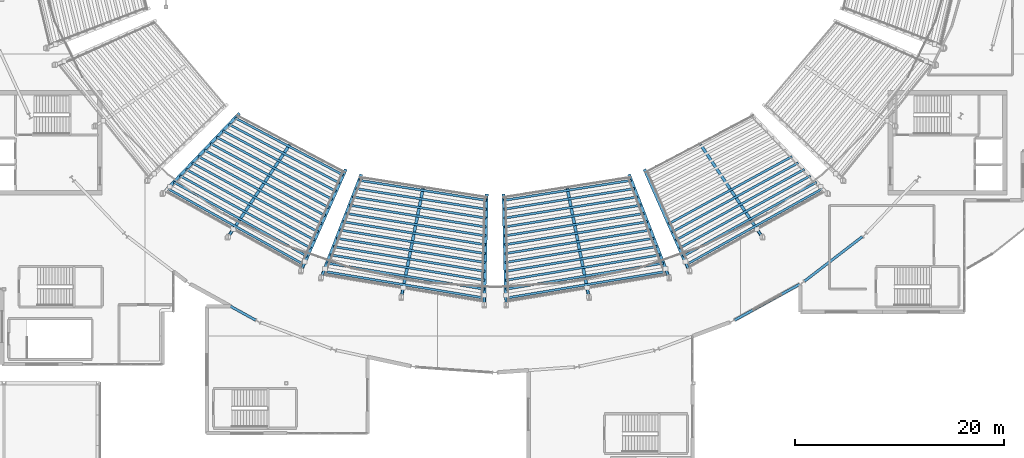
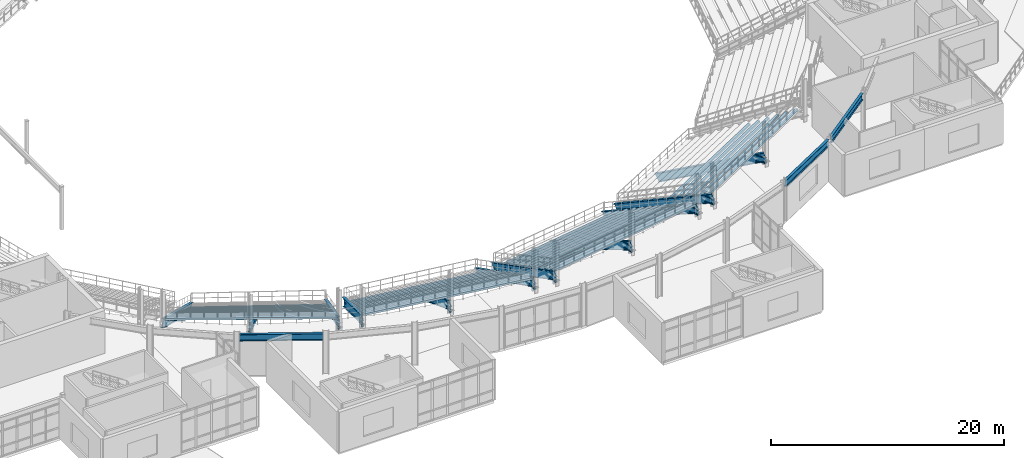
# One storey, part 25 of 81: 66 beams.
"""IFC4 building model written with IfcOpenShell, lengths in metres."""

from ifc_helpers import new_model, si_unit, direction, frame, origin, origin_2d, place, context, subcontext, project, spatial, rectangle, i_section, extrude, material, material_profile, profile_set, type_object, element, save


model = new_model("IFC4")

# Units and contexts
model_context = context("Model", 3, precision=1e-05, world=origin(), true_north=direction((0.0, 1.0)))
body_context = subcontext(model_context, "Body", "Model", "MODEL_VIEW")
ifc_project = project(units=[si_unit("LENGTHUNIT", "METRE"), si_unit("AREAUNIT", "SQUARE_METRE"), si_unit("VOLUMEUNIT", "CUBIC_METRE"), si_unit("PLANEANGLEUNIT", "RADIAN"), si_unit("MASSUNIT", "GRAM", prefix="KILO")], contexts=[model_context])

# Site, building, storey
site_placement = place(None, origin())
site = spatial("IfcSite", under=ifc_project, at=site_placement, CompositionType="ELEMENT")
building_placement = place(site_placement, origin())
building = spatial("IfcBuilding", under=site, at=building_placement, Name="Glasvene Arena", CompositionType="ELEMENT")
storey_placement = place(building_placement, frame((0.0, 0.0, 15.0)))
storey = spatial("IfcBuildingStorey", under=building, at=storey_placement, Name="L03", CompositionType="ELEMENT", Elevation=15.0)

# Beams
ifc_material_1 = material(Name="Steel S355J2", Category="steel")
ifc_material_profile_1 = material_profile(ifc_material_1, i_section(OverallWidth=0.228271484375, OverallDepth=0.607666015625, WebThickness=0.010986328125, FlangeThickness=0.017333984375, FilletRadius=0.0126953125, at=origin_2d()), Name="UKB 610x229x113")
ifc_profile_set_1 = profile_set([ifc_material_profile_1], Name="Steel S355J2")
beam_type_1 = type_object("IfcBeamType", Name="BM-GIRD-610", PredefinedType="BEAM", material=ifc_profile_set_1)
for number, where, z_axis, x_axis, name in (
    (1, (66.94384765625, 41.73681640625, 0.544921875), (-0.555528436112, -0.831497538584, 0.0), (0.831497538584, -0.555528436112, 0.0), "Upper raker rear seat haunch girder RKS-11-2"),
    (2, (73.800048828125, 38.59765625, 0.60498046875), (-0.403516463423, -0.914972384144, 0.0), (0.914972384144, -0.403516463423, 0.0), "Upper raker rear seat haunch girder RKS-11-3"),
    (3, (75.69091796875, 37.944580078125, 0.60498046875), (-0.361672228488, -0.932305314337, 0.0), (0.932305314337, -0.361672228488, 0.0), "Upper raker rear seat haunch girder RKS-12-1"),
    (4, (83.201416015625, 36.12255859375, 0.544921875), (-0.195057426987, -0.980791823058, 0.0), (0.980791823058, -0.195057426987, 0.0), "Upper raker rear seat haunch girder RKS-12-2"),
    (5, (90.976806640625, 35.40966796875, 0.60498046875), (-0.02273771586, -0.999741464718, 0.0), (0.999741464718, -0.02273771586, 0.0), "Upper raker rear seat haunch girder RKS-12-3"),
    (6, (93.023193359375, 35.40966796875, 0.60498046875), (0.02273771586, -0.999741464718, 0.0), (0.999741464718, 0.02273771586, 0.0), "Upper raker rear seat haunch girder RKS-13-1"),
    (7, (100.798583984375, 36.12255859375, 0.544921875), (0.195057426987, -0.980791823058, 0.0), (0.980791823058, 0.195057426987, 0.0), "Upper raker rear seat haunch girder RKS-13-2"),
    (8, (108.30908203125, 37.944580078125, 0.60498046875), (0.361672228488, -0.932305314337, 0.0), (0.932305314337, 0.361672228488, 0.0), "Upper raker rear seat haunch girder RKS-13-3"),
    (9, (110.199951171875, 38.59765625, 0.60498046875), (0.403516463423, -0.914972384144, 0.0), (0.914972384144, 0.403516463423, 0.0), "Upper raker rear seat haunch girder RKS-14-1"),
    (10, (117.05615234375, 41.73681640625, 0.544921875), (0.555528436112, -0.831497538584, 0.0), (0.831497538584, 0.555528436112, 0.0), "Upper raker rear seat haunch girder RKS-14-2"),
):
    element("IfcBeam", number, at=place(storey_placement, frame(where, z_axis=z_axis, x_axis=x_axis)), inside=storey, type_object=beam_type_1, Name=name, PredefinedType="BEAM", context=body_context, shape_type="SweptSolid", body=[
        extrude(i_section(OverallWidth=0.228271484375, OverallDepth=0.607666015625, WebThickness=0.010986328125, FlangeThickness=0.017333984375, FilletRadius=0.0126953125, at=origin_2d()), origin(), (0.0, 0.0, 1.0), 1.02001953125),
    ])
ifc_material_profile_2 = material_profile(ifc_material_1, i_section(OverallWidth=0.253662109375, OverallDepth=0.68359375, WebThickness=0.012451171875, FlangeThickness=0.01904296875, FilletRadius=0.01513671875, at=origin_2d()), Name="UKB 686x254x140")
ifc_profile_set_2 = profile_set([ifc_material_profile_2], Name="Steel S355J2")
beam_type_2 = type_object("IfcBeamType", Name="BM-GIRD-686", PredefinedType="BEAM", material=ifc_profile_set_2)
for number, where, z_axis, x_axis, name in (
    (11, (62.82080078125, 36.478271484375, 3.908203125), (0.875653765723, -0.482939419156, 0.0), (0.482939419156, 0.875653765723, 0.0), "Bowl ring chord beam L03-27"),
    (12, (114.90966796875, 33.0205078125, 3.908203125), (0.875653765723, 0.482939419156, 0.0), (-0.482939419156, 0.875653765723, 0.0), "Bowl ring chord beam L03-34"),
):
    element("IfcBeam", number, at=place(storey_placement, frame(where, z_axis=z_axis, x_axis=x_axis)), inside=storey, type_object=beam_type_2, Name=name, PredefinedType="BEAM", context=body_context, shape_type="SweptSolid", body=[
        extrude(i_section(OverallWidth=0.253662109375, OverallDepth=0.68359375, WebThickness=0.012451171875, FlangeThickness=0.01904296875, FilletRadius=0.01513671875, at=origin_2d()), origin(), (0.0, 0.0, 1.0), 7.159912109375),
    ])
beam_1_placement = place(storey_placement, frame((121.57958984375, 36.740478515625, 3.908203125), z_axis=(0.792832644474, 0.609439412786, 0.0), x_axis=(-0.609439412786, 0.792832644474, 0.0)))
element("IfcBeam", 13, at=beam_1_placement, inside=storey, type_object=beam_type_2, Name="Bowl ring chord beam L03-35", PredefinedType="BEAM", context=body_context, shape_type="SweptSolid", body=[
    extrude(i_section(OverallWidth=0.253662109375, OverallDepth=0.68359375, WebThickness=0.012451171875, FlangeThickness=0.01904296875, FilletRadius=0.01513671875, at=origin_2d()), origin(), (0.0, 0.0, 1.0), 7.044921875),
])
ifc_material_profile_3 = material_profile(ifc_material_1, i_section(OverallWidth=0.29248046875, OverallDepth=0.8408203125, WebThickness=0.0146484375, FlangeThickness=0.021728515625, FilletRadius=0.017822265625, at=origin_2d()), Name="UKB 838x292x194")
ifc_profile_set_3 = profile_set([ifc_material_profile_3], Name="Steel S355J2")
beam_type_3 = type_object("IfcBeamType", Name="Upper bowl raker", PredefinedType="USERDEFINED", material=ifc_profile_set_3)
beam_2_placement = place(storey_placement, frame((67.404541015625, 52.6845703125, -4.320068359375), z_axis=(-0.614833062929, -0.643391567755, 0.456100422354), x_axis=(0.722970105975, -0.690879313532, 0.0)))
element("IfcBeam", 14, at=beam_2_placement, inside=storey, type_object=beam_type_3, Name="Upper bowl cantilevered raker beam RKU-11-1", ObjectType="RAKER BEAM", PredefinedType="USERDEFINED", context=body_context, shape_type="SweptSolid", body=[
    extrude(i_section(OverallWidth=0.29248046875, OverallDepth=0.8408203125, WebThickness=0.0146484375, FlangeThickness=0.021728515625, FilletRadius=0.017822265625, at=origin_2d()), origin(), (0.0, 0.0, 1.0), 11.686279296875),
])
beam_3_placement = place(storey_placement, frame((72.2216796875, 49.6357421875, -4.47998046875), z_axis=(-0.492473636396, -0.737066517415, 0.462820339182), x_axis=(0.831479234628, -0.555555831923, 0.0)))
element("IfcBeam", 15, at=beam_3_placement, inside=storey, type_object=beam_type_3, Name="Upper bowl cantilevered raker beam RKU-11-2", ObjectType="RAKER BEAM", PredefinedType="USERDEFINED", context=body_context, shape_type="SweptSolid", body=[
    extrude(i_section(OverallWidth=0.29248046875, OverallDepth=0.8408203125, WebThickness=0.0146484375, FlangeThickness=0.021728515625, FilletRadius=0.017822265625, at=origin_2d()), origin(), (0.0, 0.0, 1.0), 11.732177734375),
])
beam_4_placement = place(storey_placement, frame((77.6337890625, 47.28955078125, -4.320068359375), z_axis=(-0.359125292214, -0.81424713578, 0.456103745179), x_axis=(0.914959869018, -0.403544840242, 0.0)))
element("IfcBeam", 16, at=beam_4_placement, inside=storey, type_object=beam_type_3, Name="Upper bowl cantilevered raker beam RKU-11-3", ObjectType="RAKER BEAM", PredefinedType="USERDEFINED", context=body_context, shape_type="SweptSolid", body=[
    extrude(i_section(OverallWidth=0.29248046875, OverallDepth=0.8408203125, WebThickness=0.0146484375, FlangeThickness=0.021728515625, FilletRadius=0.017822265625, at=origin_2d()), origin(), (0.0, 0.0, 1.0), 11.68603515625),
])
beam_5_placement = place(storey_placement, frame((79.126220703125, 46.8017578125, -4.320068359375), z_axis=(-0.321824936055, -0.829704586846, 0.456091009669), x_axis=(0.932322385811, -0.361628219192, 0.0)))
element("IfcBeam", 17, at=beam_5_placement, inside=storey, type_object=beam_type_3, Name="Upper bowl cantilevered raker beam RKU-12-1", ObjectType="RAKER BEAM", PredefinedType="USERDEFINED", context=body_context, shape_type="SweptSolid", body=[
    extrude(i_section(OverallWidth=0.29248046875, OverallDepth=0.8408203125, WebThickness=0.0146484375, FlangeThickness=0.021728515625, FilletRadius=0.017822265625, at=origin_2d()), origin(), (0.0, 0.0, 1.0), 11.6865234375),
])
beam_6_placement = place(storey_placement, frame((85.0546875, 45.43994140625, -4.47998046875), z_axis=(-0.172926721503, -0.869419786331, 0.46282349133), x_axis=(0.980787789908, -0.19507770546, 0.0)))
element("IfcBeam", 18, at=beam_6_placement, inside=storey, type_object=beam_type_3, Name="Upper bowl cantilevered raker beam RKU-12-2", ObjectType="RAKER BEAM", PredefinedType="USERDEFINED", context=body_context, shape_type="SweptSolid", body=[
    extrude(i_section(OverallWidth=0.29248046875, OverallDepth=0.8408203125, WebThickness=0.0146484375, FlangeThickness=0.021728515625, FilletRadius=0.017822265625, at=origin_2d()), origin(), (0.0, 0.0, 1.0), 11.732177734375),
])
for number, where, z_axis, x_axis, name in (
    (19, (91.1923828125, 44.9072265625, -4.320068359375), (-0.02020192295, -0.889699371943, 0.456099670986), (0.999742307986, -0.022700608444, 0.0), "Upper bowl cantilevered raker beam RKU-12-3"),
    (20, (92.8076171875, 44.9072265625, -4.320068359375), (0.02020192295, -0.889699371943, 0.456099670986), (0.999742307986, 0.022700608444, 0.0), "Upper bowl cantilevered raker beam RKU-13-1"),
):
    element("IfcBeam", number, at=place(storey_placement, frame(where, z_axis=z_axis, x_axis=x_axis)), inside=storey, type_object=beam_type_3, Name=name, ObjectType="RAKER BEAM", PredefinedType="USERDEFINED", context=body_context, shape_type="SweptSolid", body=[
        extrude(i_section(OverallWidth=0.29248046875, OverallDepth=0.8408203125, WebThickness=0.0146484375, FlangeThickness=0.021728515625, FilletRadius=0.017822265625, at=origin_2d()), origin(), (0.0, 0.0, 1.0), 11.686279296875),
    ])
beam_7_placement = place(storey_placement, frame((98.9453125, 45.43994140625, -4.47998046875), z_axis=(0.172926721503, -0.869419786331, 0.46282349133), x_axis=(0.980787789908, 0.19507770546, 0.0)))
element("IfcBeam", 21, at=beam_7_placement, inside=storey, type_object=beam_type_3, Name="Upper bowl cantilevered raker beam RKU-13-2", ObjectType="RAKER BEAM", PredefinedType="USERDEFINED", context=body_context, shape_type="SweptSolid", body=[
    extrude(i_section(OverallWidth=0.29248046875, OverallDepth=0.8408203125, WebThickness=0.0146484375, FlangeThickness=0.021728515625, FilletRadius=0.017822265625, at=origin_2d()), origin(), (0.0, 0.0, 1.0), 11.732177734375),
])
beam_8_placement = place(storey_placement, frame((104.873779296875, 46.8017578125, -4.320068359375), z_axis=(0.321824936055, -0.829704586846, 0.456091009669), x_axis=(0.932322385811, 0.361628219192, 0.0)))
element("IfcBeam", 22, at=beam_8_placement, inside=storey, type_object=beam_type_3, Name="Upper bowl cantilevered raker beam RKU-13-3", ObjectType="RAKER BEAM", PredefinedType="USERDEFINED", context=body_context, shape_type="SweptSolid", body=[
    extrude(i_section(OverallWidth=0.29248046875, OverallDepth=0.8408203125, WebThickness=0.0146484375, FlangeThickness=0.021728515625, FilletRadius=0.017822265625, at=origin_2d()), origin(), (0.0, 0.0, 1.0), 11.6865234375),
])
beam_9_placement = place(storey_placement, frame((106.3662109375, 47.28955078125, -4.320068359375), z_axis=(0.359125292214, -0.81424713578, 0.456103745179), x_axis=(0.914959869018, 0.403544840242, 0.0)))
element("IfcBeam", 23, at=beam_9_placement, inside=storey, type_object=beam_type_3, Name="Upper bowl cantilevered raker beam RKU-14-1", ObjectType="RAKER BEAM", PredefinedType="USERDEFINED", context=body_context, shape_type="SweptSolid", body=[
    extrude(i_section(OverallWidth=0.29248046875, OverallDepth=0.8408203125, WebThickness=0.0146484375, FlangeThickness=0.021728515625, FilletRadius=0.017822265625, at=origin_2d()), origin(), (0.0, 0.0, 1.0), 11.68603515625),
])
beam_10_placement = place(storey_placement, frame((111.7783203125, 49.6357421875, -4.47998046875), z_axis=(0.492473636396, -0.737066517415, 0.462820339182), x_axis=(0.831479234628, 0.555555831923, 0.0)))
element("IfcBeam", 24, at=beam_10_placement, inside=storey, type_object=beam_type_3, Name="Upper bowl cantilevered raker beam RKU-14-2", ObjectType="RAKER BEAM", PredefinedType="USERDEFINED", context=body_context, shape_type="SweptSolid", body=[
    extrude(i_section(OverallWidth=0.29248046875, OverallDepth=0.8408203125, WebThickness=0.0146484375, FlangeThickness=0.021728515625, FilletRadius=0.017822265625, at=origin_2d()), origin(), (0.0, 0.0, 1.0), 11.732177734375),
])
ifc_material_2 = material(Name="Precast concrete C50/60", Category="concrete")
ifc_material_profile_4 = material_profile(ifc_material_2, rectangle(XDim=0.219970703125, YDim=0.219970703125, at=origin_2d()), Name="RC 220x220")
ifc_profile_set_4 = profile_set([ifc_material_profile_4], Name="Precast concrete C50/60")
beam_type_4 = type_object("IfcBeamType", Name="BM-TIER-BEARER", PredefinedType="BEAM", material=ifc_profile_set_4)
beam_11_placement = place(storey_placement, frame((67.114501953125, 52.381103515625, -4.215087890625), z_axis=(0.883920254226, -0.467637663335, 0.0), x_axis=(0.467637663335, 0.883920254226, 0.0)))
element("IfcBeam", 25, at=beam_11_placement, inside=storey, type_object=beam_type_4, Name="Upper tier precast row bearer 11-R01", PredefinedType="BEAM", context=body_context, shape_type="SweptSolid", body=[
    extrude(rectangle(XDim=0.219970703125, YDim=0.219970703125, at=origin_2d()), origin(), (0.0, 0.0, 1.0), 11.708984375),
])
beam_12_placement = place(storey_placement, frame((66.527099609375, 51.7666015625, -3.735107421875), z_axis=(0.882745126061, -0.469852149528, 0.0), x_axis=(0.469852149528, 0.882745126061, 0.0)))
element("IfcBeam", 26, at=beam_12_placement, inside=storey, type_object=beam_type_4, Name="Upper tier precast row bearer 11-R02", PredefinedType="BEAM", context=body_context, shape_type="SweptSolid", body=[
    extrude(rectangle(XDim=0.219970703125, YDim=0.219970703125, at=origin_2d()), origin(), (0.0, 0.0, 1.0), 12.00146484375),
])
beam_13_placement = place(storey_placement, frame((65.93994140625, 51.15185546875, -3.2548828125), z_axis=(0.881624591042, -0.471951353924, 0.0), x_axis=(0.471951353924, 0.881624591042, 0.0)))
element("IfcBeam", 27, at=beam_13_placement, inside=storey, type_object=beam_type_4, Name="Upper tier precast row bearer 11-R03", PredefinedType="BEAM", context=body_context, shape_type="SweptSolid", body=[
    extrude(rectangle(XDim=0.219970703125, YDim=0.219970703125, at=origin_2d()), origin(), (0.0, 0.0, 1.0), 12.293701171875),
])
beam_14_placement = place(storey_placement, frame((65.352783203125, 50.537353515625, -2.77490234375), z_axis=(0.880551437583, -0.47395059423, 0.0), x_axis=(0.47395059423, 0.880551437583, 0.0)))
element("IfcBeam", 28, at=beam_14_placement, inside=storey, type_object=beam_type_4, Name="Upper tier precast row bearer 11-R04", PredefinedType="BEAM", context=body_context, shape_type="SweptSolid", body=[
    extrude(rectangle(XDim=0.219970703125, YDim=0.219970703125, at=origin_2d()), origin(), (0.0, 0.0, 1.0), 12.5859375),
])
beam_15_placement = place(storey_placement, frame((64.765380859375, 49.9228515625, -2.294921875), z_axis=(0.879519123786, -0.475863542306, 0.0), x_axis=(0.475863542306, 0.879519123786, 0.0)))
element("IfcBeam", 29, at=beam_15_placement, inside=storey, type_object=beam_type_4, Name="Upper tier precast row bearer 11-R05", PredefinedType="BEAM", context=body_context, shape_type="SweptSolid", body=[
    extrude(rectangle(XDim=0.219970703125, YDim=0.219970703125, at=origin_2d()), origin(), (0.0, 0.0, 1.0), 12.87841796875),
])
beam_16_placement = place(storey_placement, frame((64.17822265625, 49.308349609375, -1.81494140625), z_axis=(0.878532352261, -0.477682850886, 0.0), x_axis=(0.477682850886, 0.878532352261, 0.0)))
element("IfcBeam", 30, at=beam_16_placement, inside=storey, type_object=beam_type_4, Name="Upper tier precast row bearer 11-R06", PredefinedType="BEAM", context=body_context, shape_type="SweptSolid", body=[
    extrude(rectangle(XDim=0.219970703125, YDim=0.219970703125, at=origin_2d()), origin(), (0.0, 0.0, 1.0), 13.1708984375),
])
beam_17_placement = place(storey_placement, frame((63.5908203125, 48.69384765625, -1.3349609375), z_axis=(0.877581457911, -0.47942755942, 0.0), x_axis=(0.47942755942, 0.877581457911, 0.0)))
element("IfcBeam", 31, at=beam_17_placement, inside=storey, type_object=beam_type_4, Name="Upper tier precast row bearer 11-R07", PredefinedType="BEAM", context=body_context, shape_type="SweptSolid", body=[
    extrude(rectangle(XDim=0.219970703125, YDim=0.219970703125, at=origin_2d()), origin(), (0.0, 0.0, 1.0), 13.463623046875),
])
beam_18_placement = place(storey_placement, frame((63.003662109375, 48.079345703125, -0.85498046875), z_axis=(0.87666368391, -0.481103715755, 0.0), x_axis=(0.481103715755, 0.87666368391, 0.0)))
element("IfcBeam", 32, at=beam_18_placement, inside=storey, type_object=beam_type_4, Name="Upper tier precast row bearer 11-R08", PredefinedType="BEAM", context=body_context, shape_type="SweptSolid", body=[
    extrude(rectangle(XDim=0.219970703125, YDim=0.219970703125, at=origin_2d()), origin(), (0.0, 0.0, 1.0), 13.756103515625),
])
beam_19_placement = place(storey_placement, frame((62.41650390625, 47.46484375, -0.375), z_axis=(0.87578848276, -0.482695072965, 0.0), x_axis=(0.482695072965, 0.87578848276, 0.0)))
element("IfcBeam", 33, at=beam_19_placement, inside=storey, type_object=beam_type_4, Name="Upper tier precast row bearer 11-R09", PredefinedType="BEAM", context=body_context, shape_type="SweptSolid", body=[
    extrude(rectangle(XDim=0.219970703125, YDim=0.219970703125, at=origin_2d()), origin(), (0.0, 0.0, 1.0), 14.048828125),
])
beam_20_placement = place(storey_placement, frame((61.8291015625, 46.850341796875, 0.10498046875), z_axis=(0.874950263703, -0.484212800373, 0.0), x_axis=(0.484212800373, 0.874950263703, 0.0)))
element("IfcBeam", 34, at=beam_20_placement, inside=storey, type_object=beam_type_4, Name="Upper tier precast row bearer 11-R10", PredefinedType="BEAM", context=body_context, shape_type="SweptSolid", body=[
    extrude(rectangle(XDim=0.219970703125, YDim=0.219970703125, at=origin_2d()), origin(), (0.0, 0.0, 1.0), 14.341552734375),
])
beam_21_placement = place(storey_placement, frame((61.241943359375, 46.23583984375, 0.5849609375), z_axis=(0.874132093263, -0.485688257556, 0.0), x_axis=(0.485688257556, 0.874132093263, 0.0)))
element("IfcBeam", 35, at=beam_21_placement, inside=storey, type_object=beam_type_4, Name="Upper tier precast row bearer 11-R11", PredefinedType="BEAM", context=body_context, shape_type="SweptSolid", body=[
    extrude(rectangle(XDim=0.219970703125, YDim=0.219970703125, at=origin_2d()), origin(), (0.0, 0.0, 1.0), 14.63427734375),
])
beam_22_placement = place(storey_placement, frame((60.65478515625, 45.62109375, 1.06494140625), z_axis=(0.873357585643, -0.487079590622, 0.0), x_axis=(0.487079590622, 0.873357585643, 0.0)))
element("IfcBeam", 36, at=beam_22_placement, inside=storey, type_object=beam_type_4, Name="Upper tier precast row bearer 11-R12", PredefinedType="BEAM", context=body_context, shape_type="SweptSolid", body=[
    extrude(rectangle(XDim=0.219970703125, YDim=0.219970703125, at=origin_2d()), origin(), (0.0, 0.0, 1.0), 14.9267578125),
])
beam_23_placement = place(storey_placement, frame((78.974365234375, 46.41015625, -4.215087890625), z_axis=(0.9878227954, -0.15558317675, 0.0), x_axis=(0.15558317675, 0.9878227954, 0.0)))
element("IfcBeam", 37, at=beam_23_placement, inside=storey, type_object=beam_type_4, Name="Upper tier precast row bearer 12-R01", PredefinedType="BEAM", context=body_context, shape_type="SweptSolid", body=[
    extrude(rectangle(XDim=0.219970703125, YDim=0.219970703125, at=origin_2d()), origin(), (0.0, 0.0, 1.0), 12.35888671875),
])
beam_24_placement = place(storey_placement, frame((78.6669921875, 45.61767578125, -3.735107421875), z_axis=(0.987679591572, -0.156489694206, 0.0), x_axis=(0.156489694206, 0.987679591572, 0.0)))
element("IfcBeam", 38, at=beam_24_placement, inside=storey, type_object=beam_type_4, Name="Upper tier precast row bearer 12-R02", PredefinedType="BEAM", context=body_context, shape_type="SweptSolid", body=[
    extrude(rectangle(XDim=0.219970703125, YDim=0.219970703125, at=origin_2d()), origin(), (0.0, 0.0, 1.0), 12.65234375),
])
beam_25_placement = place(storey_placement, frame((78.359619140625, 44.8251953125, -3.2548828125), z_axis=(0.987539173577, -0.157373379741, 0.0), x_axis=(0.157373379741, 0.987539173577, 0.0)))
element("IfcBeam", 39, at=beam_25_placement, inside=storey, type_object=beam_type_4, Name="Upper tier precast row bearer 12-R03", PredefinedType="BEAM", context=body_context, shape_type="SweptSolid", body=[
    extrude(rectangle(XDim=0.219970703125, YDim=0.219970703125, at=origin_2d()), origin(), (0.0, 0.0, 1.0), 12.946044921875),
])
beam_26_placement = place(storey_placement, frame((78.052001953125, 44.03271484375, -2.77490234375), z_axis=(0.98740470459, -0.158214883474, 0.0), x_axis=(0.158214883474, 0.98740470459, 0.0)))
element("IfcBeam", 40, at=beam_26_placement, inside=storey, type_object=beam_type_4, Name="Upper tier precast row bearer 12-R04", PredefinedType="BEAM", context=body_context, shape_type="SweptSolid", body=[
    extrude(rectangle(XDim=0.219970703125, YDim=0.219970703125, at=origin_2d()), origin(), (0.0, 0.0, 1.0), 13.23974609375),
])
beam_27_placement = place(storey_placement, frame((77.744873046875, 43.240234375, -2.294921875), z_axis=(0.987274490063, -0.159025410772, 0.0), x_axis=(0.159025410772, 0.987274490063, 0.0)))
element("IfcBeam", 41, at=beam_27_placement, inside=storey, type_object=beam_type_4, Name="Upper tier precast row bearer 12-R05", PredefinedType="BEAM", context=body_context, shape_type="SweptSolid", body=[
    extrude(rectangle(XDim=0.219970703125, YDim=0.219970703125, at=origin_2d()), origin(), (0.0, 0.0, 1.0), 13.532958984375),
])
beam_28_placement = place(storey_placement, frame((77.4375, 42.44775390625, -1.81494140625), z_axis=(0.987149627401, -0.159798664329, 0.0), x_axis=(0.159798664329, 0.987149627401, 0.0)))
element("IfcBeam", 42, at=beam_28_placement, inside=storey, type_object=beam_type_4, Name="Upper tier precast row bearer 12-R06", PredefinedType="BEAM", context=body_context, shape_type="SweptSolid", body=[
    extrude(rectangle(XDim=0.219970703125, YDim=0.219970703125, at=origin_2d()), origin(), (0.0, 0.0, 1.0), 13.82666015625),
])
beam_29_placement = place(storey_placement, frame((77.1298828125, 41.6552734375, -1.3349609375), z_axis=(0.987032573185, -0.160520090554, 0.0), x_axis=(0.160520090554, 0.987032573185, 0.0)))
element("IfcBeam", 43, at=beam_29_placement, inside=storey, type_object=beam_type_4, Name="Upper tier precast row bearer 12-R07", PredefinedType="BEAM", context=body_context, shape_type="SweptSolid", body=[
    extrude(rectangle(XDim=0.219970703125, YDim=0.219970703125, at=origin_2d()), origin(), (0.0, 0.0, 1.0), 14.120361328125),
])
beam_30_placement = place(storey_placement, frame((76.822509765625, 40.86279296875, -0.85498046875), z_axis=(0.986916659435, -0.161231223182, 0.0), x_axis=(0.161231223182, 0.986916659435, 0.0)))
element("IfcBeam", 44, at=beam_30_placement, inside=storey, type_object=beam_type_4, Name="Upper tier precast row bearer 12-R08", PredefinedType="BEAM", context=body_context, shape_type="SweptSolid", body=[
    extrude(rectangle(XDim=0.219970703125, YDim=0.219970703125, at=origin_2d()), origin(), (0.0, 0.0, 1.0), 14.413818359375),
])
beam_31_placement = place(storey_placement, frame((76.51513671875, 40.0703125, -0.375), z_axis=(0.986807543106, -0.161897723483, 0.0), x_axis=(0.161897723483, 0.986807543106, 0.0)))
element("IfcBeam", 45, at=beam_31_placement, inside=storey, type_object=beam_type_4, Name="Upper tier precast row bearer 12-R09", PredefinedType="BEAM", context=body_context, shape_type="SweptSolid", body=[
    extrude(rectangle(XDim=0.219970703125, YDim=0.219970703125, at=origin_2d()), origin(), (0.0, 0.0, 1.0), 14.70751953125),
])
beam_32_placement = place(storey_placement, frame((76.2080078125, 39.27783203125, 0.10498046875), z_axis=(0.986699232746, -0.162556525858, 0.0), x_axis=(0.162556525858, 0.986699232746, 0.0)))
element("IfcBeam", 46, at=beam_32_placement, inside=storey, type_object=beam_type_4, Name="Upper tier precast row bearer 12-R10", PredefinedType="BEAM", context=body_context, shape_type="SweptSolid", body=[
    extrude(rectangle(XDim=0.219970703125, YDim=0.219970703125, at=origin_2d()), origin(), (0.0, 0.0, 1.0), 15.000732421875),
])
beam_33_placement = place(storey_placement, frame((75.900390625, 38.4853515625, 0.5849609375), z_axis=(0.986595512486, -0.163184848385, 0.0), x_axis=(0.163184848385, 0.986595512486, 0.0)))
element("IfcBeam", 47, at=beam_33_placement, inside=storey, type_object=beam_type_4, Name="Upper tier precast row bearer 12-R11", PredefinedType="BEAM", context=body_context, shape_type="SweptSolid", body=[
    extrude(rectangle(XDim=0.219970703125, YDim=0.219970703125, at=origin_2d()), origin(), (0.0, 0.0, 1.0), 15.294677734375),
])
beam_34_placement = place(storey_placement, frame((75.593017578125, 37.69287109375, 1.06494140625), z_axis=(0.98649490435, -0.163791952462, 0.0), x_axis=(0.163791952462, 0.98649490435, 0.0)))
element("IfcBeam", 48, at=beam_34_placement, inside=storey, type_object=beam_type_4, Name="Upper tier precast row bearer 12-R12", PredefinedType="BEAM", context=body_context, shape_type="SweptSolid", body=[
    extrude(rectangle(XDim=0.219970703125, YDim=0.219970703125, at=origin_2d()), origin(), (0.0, 0.0, 1.0), 15.588134765625),
])
beam_35_placement = place(storey_placement, frame((92.817138671875, 44.4873046875, -4.215087890625), z_axis=(0.9878227954, 0.15558317675, 0.0), x_axis=(-0.15558317675, 0.9878227954, 0.0)))
element("IfcBeam", 49, at=beam_35_placement, inside=storey, type_object=beam_type_4, Name="Upper tier precast row bearer 13-R01", PredefinedType="BEAM", context=body_context, shape_type="SweptSolid", body=[
    extrude(rectangle(XDim=0.219970703125, YDim=0.219970703125, at=origin_2d()), origin(), (0.0, 0.0, 1.0), 12.35888671875),
])
beam_36_placement = place(storey_placement, frame((92.83642578125, 43.6376953125, -3.735107421875), z_axis=(0.987679591572, 0.156489694206, 0.0), x_axis=(-0.156489694206, 0.987679591572, 0.0)))
element("IfcBeam", 50, at=beam_36_placement, inside=storey, type_object=beam_type_4, Name="Upper tier precast row bearer 13-R02", PredefinedType="BEAM", context=body_context, shape_type="SweptSolid", body=[
    extrude(rectangle(XDim=0.219970703125, YDim=0.219970703125, at=origin_2d()), origin(), (0.0, 0.0, 1.0), 12.65234375),
])
beam_37_placement = place(storey_placement, frame((92.855712890625, 42.787841796875, -3.2548828125), z_axis=(0.987539173577, 0.157373379741, 0.0), x_axis=(-0.157373379741, 0.987539173577, 0.0)))
element("IfcBeam", 51, at=beam_37_placement, inside=storey, type_object=beam_type_4, Name="Upper tier precast row bearer 13-R03", PredefinedType="BEAM", context=body_context, shape_type="SweptSolid", body=[
    extrude(rectangle(XDim=0.219970703125, YDim=0.219970703125, at=origin_2d()), origin(), (0.0, 0.0, 1.0), 12.946044921875),
])
beam_38_placement = place(storey_placement, frame((92.875, 41.93798828125, -2.77490234375), z_axis=(0.98740470459, 0.158214883474, 0.0), x_axis=(-0.158214883474, 0.98740470459, 0.0)))
element("IfcBeam", 52, at=beam_38_placement, inside=storey, type_object=beam_type_4, Name="Upper tier precast row bearer 13-R04", PredefinedType="BEAM", context=body_context, shape_type="SweptSolid", body=[
    extrude(rectangle(XDim=0.219970703125, YDim=0.219970703125, at=origin_2d()), origin(), (0.0, 0.0, 1.0), 13.23974609375),
])
beam_39_placement = place(storey_placement, frame((92.894287109375, 41.088134765625, -2.294921875), z_axis=(0.987274490063, 0.159025410772, 0.0), x_axis=(-0.159025410772, 0.987274490063, 0.0)))
element("IfcBeam", 53, at=beam_39_placement, inside=storey, type_object=beam_type_4, Name="Upper tier precast row bearer 13-R05", PredefinedType="BEAM", context=body_context, shape_type="SweptSolid", body=[
    extrude(rectangle(XDim=0.219970703125, YDim=0.219970703125, at=origin_2d()), origin(), (0.0, 0.0, 1.0), 13.532958984375),
])
beam_40_placement = place(storey_placement, frame((92.91357421875, 40.23828125, -1.81494140625), z_axis=(0.987149627401, 0.159798664329, 0.0), x_axis=(-0.159798664329, 0.987149627401, 0.0)))
element("IfcBeam", 54, at=beam_40_placement, inside=storey, type_object=beam_type_4, Name="Upper tier precast row bearer 13-R06", PredefinedType="BEAM", context=body_context, shape_type="SweptSolid", body=[
    extrude(rectangle(XDim=0.219970703125, YDim=0.219970703125, at=origin_2d()), origin(), (0.0, 0.0, 1.0), 13.82666015625),
])
beam_41_placement = place(storey_placement, frame((92.932861328125, 39.388671875, -1.3349609375), z_axis=(0.987032573185, 0.160520090554, 0.0), x_axis=(-0.160520090554, 0.987032573185, 0.0)))
element("IfcBeam", 55, at=beam_41_placement, inside=storey, type_object=beam_type_4, Name="Upper tier precast row bearer 13-R07", PredefinedType="BEAM", context=body_context, shape_type="SweptSolid", body=[
    extrude(rectangle(XDim=0.219970703125, YDim=0.219970703125, at=origin_2d()), origin(), (0.0, 0.0, 1.0), 14.120361328125),
])
beam_42_placement = place(storey_placement, frame((92.9521484375, 38.538818359375, -0.85498046875), z_axis=(0.986916659435, 0.161231223182, 0.0), x_axis=(-0.161231223182, 0.986916659435, 0.0)))
element("IfcBeam", 56, at=beam_42_placement, inside=storey, type_object=beam_type_4, Name="Upper tier precast row bearer 13-R08", PredefinedType="BEAM", context=body_context, shape_type="SweptSolid", body=[
    extrude(rectangle(XDim=0.219970703125, YDim=0.219970703125, at=origin_2d()), origin(), (0.0, 0.0, 1.0), 14.413818359375),
])
beam_43_placement = place(storey_placement, frame((92.971435546875, 37.689208984375, -0.375), z_axis=(0.986807543106, 0.161897723483, 0.0), x_axis=(-0.161897723483, 0.986807543106, 0.0)))
element("IfcBeam", 57, at=beam_43_placement, inside=storey, type_object=beam_type_4, Name="Upper tier precast row bearer 13-R09", PredefinedType="BEAM", context=body_context, shape_type="SweptSolid", body=[
    extrude(rectangle(XDim=0.219970703125, YDim=0.219970703125, at=origin_2d()), origin(), (0.0, 0.0, 1.0), 14.70751953125),
])
beam_44_placement = place(storey_placement, frame((92.99072265625, 36.83935546875, 0.10498046875), z_axis=(0.986699232746, 0.162556525858, 0.0), x_axis=(-0.162556525858, 0.986699232746, 0.0)))
element("IfcBeam", 58, at=beam_44_placement, inside=storey, type_object=beam_type_4, Name="Upper tier precast row bearer 13-R10", PredefinedType="BEAM", context=body_context, shape_type="SweptSolid", body=[
    extrude(rectangle(XDim=0.219970703125, YDim=0.219970703125, at=origin_2d()), origin(), (0.0, 0.0, 1.0), 15.000732421875),
])
beam_45_placement = place(storey_placement, frame((93.010009765625, 35.989501953125, 0.5849609375), z_axis=(0.986595512486, 0.163184848385, 0.0), x_axis=(-0.163184848385, 0.986595512486, 0.0)))
element("IfcBeam", 59, at=beam_45_placement, inside=storey, type_object=beam_type_4, Name="Upper tier precast row bearer 13-R11", PredefinedType="BEAM", context=body_context, shape_type="SweptSolid", body=[
    extrude(rectangle(XDim=0.219970703125, YDim=0.219970703125, at=origin_2d()), origin(), (0.0, 0.0, 1.0), 15.294677734375),
])
beam_46_placement = place(storey_placement, frame((93.029296875, 35.1396484375, 1.06494140625), z_axis=(0.98649490435, 0.163791952462, 0.0), x_axis=(-0.163791952462, 0.98649490435, 0.0)))
element("IfcBeam", 60, at=beam_46_placement, inside=storey, type_object=beam_type_4, Name="Upper tier precast row bearer 13-R12", PredefinedType="BEAM", context=body_context, shape_type="SweptSolid", body=[
    extrude(rectangle(XDim=0.219970703125, YDim=0.219970703125, at=origin_2d()), origin(), (0.0, 0.0, 1.0), 15.588134765625),
])
beam_47_placement = place(storey_placement, frame((108.59375, 42.239013671875, -1.3349609375), z_axis=(0.877581457911, 0.47942755942, 0.0), x_axis=(-0.47942755942, 0.877581457911, 0.0)))
element("IfcBeam", 61, at=beam_47_placement, inside=storey, type_object=beam_type_4, Name="Upper tier precast row bearer 14-R07", PredefinedType="BEAM", context=body_context, shape_type="SweptSolid", body=[
    extrude(rectangle(XDim=0.219970703125, YDim=0.219970703125, at=origin_2d()), origin(), (0.0, 0.0, 1.0), 13.463623046875),
])
beam_48_placement = place(storey_placement, frame((108.936767578125, 41.461181640625, -0.85498046875), z_axis=(0.87666368391, 0.481103715755, 0.0), x_axis=(-0.481103715755, 0.87666368391, 0.0)))
element("IfcBeam", 62, at=beam_48_placement, inside=storey, type_object=beam_type_4, Name="Upper tier precast row bearer 14-R08", PredefinedType="BEAM", context=body_context, shape_type="SweptSolid", body=[
    extrude(rectangle(XDim=0.219970703125, YDim=0.219970703125, at=origin_2d()), origin(), (0.0, 0.0, 1.0), 13.756103515625),
])
beam_49_placement = place(storey_placement, frame((109.27978515625, 40.68359375, -0.375), z_axis=(0.87578848276, 0.482695072965, 0.0), x_axis=(-0.482695072965, 0.87578848276, 0.0)))
element("IfcBeam", 63, at=beam_49_placement, inside=storey, type_object=beam_type_4, Name="Upper tier precast row bearer 14-R09", PredefinedType="BEAM", context=body_context, shape_type="SweptSolid", body=[
    extrude(rectangle(XDim=0.219970703125, YDim=0.219970703125, at=origin_2d()), origin(), (0.0, 0.0, 1.0), 14.048828125),
])
beam_50_placement = place(storey_placement, frame((109.622802734375, 39.906005859375, 0.10498046875), z_axis=(0.874950263703, 0.484212800373, 0.0), x_axis=(-0.484212800373, 0.874950263703, 0.0)))
element("IfcBeam", 64, at=beam_50_placement, inside=storey, type_object=beam_type_4, Name="Upper tier precast row bearer 14-R10", PredefinedType="BEAM", context=body_context, shape_type="SweptSolid", body=[
    extrude(rectangle(XDim=0.219970703125, YDim=0.219970703125, at=origin_2d()), origin(), (0.0, 0.0, 1.0), 14.341552734375),
])
beam_51_placement = place(storey_placement, frame((109.9658203125, 39.128173828125, 0.5849609375), z_axis=(0.874132093263, 0.485688257556, 0.0), x_axis=(-0.485688257556, 0.874132093263, 0.0)))
element("IfcBeam", 65, at=beam_51_placement, inside=storey, type_object=beam_type_4, Name="Upper tier precast row bearer 14-R11", PredefinedType="BEAM", context=body_context, shape_type="SweptSolid", body=[
    extrude(rectangle(XDim=0.219970703125, YDim=0.219970703125, at=origin_2d()), origin(), (0.0, 0.0, 1.0), 14.63427734375),
])
beam_52_placement = place(storey_placement, frame((110.308837890625, 38.3505859375, 1.06494140625), z_axis=(0.873357585643, 0.487079590622, 0.0), x_axis=(-0.487079590622, 0.873357585643, 0.0)))
element("IfcBeam", 66, at=beam_52_placement, inside=storey, type_object=beam_type_4, Name="Upper tier precast row bearer 14-R12", PredefinedType="BEAM", context=body_context, shape_type="SweptSolid", body=[
    extrude(rectangle(XDim=0.219970703125, YDim=0.219970703125, at=origin_2d()), origin(), (0.0, 0.0, 1.0), 14.9267578125),
])

save(model, "model.ifc")
